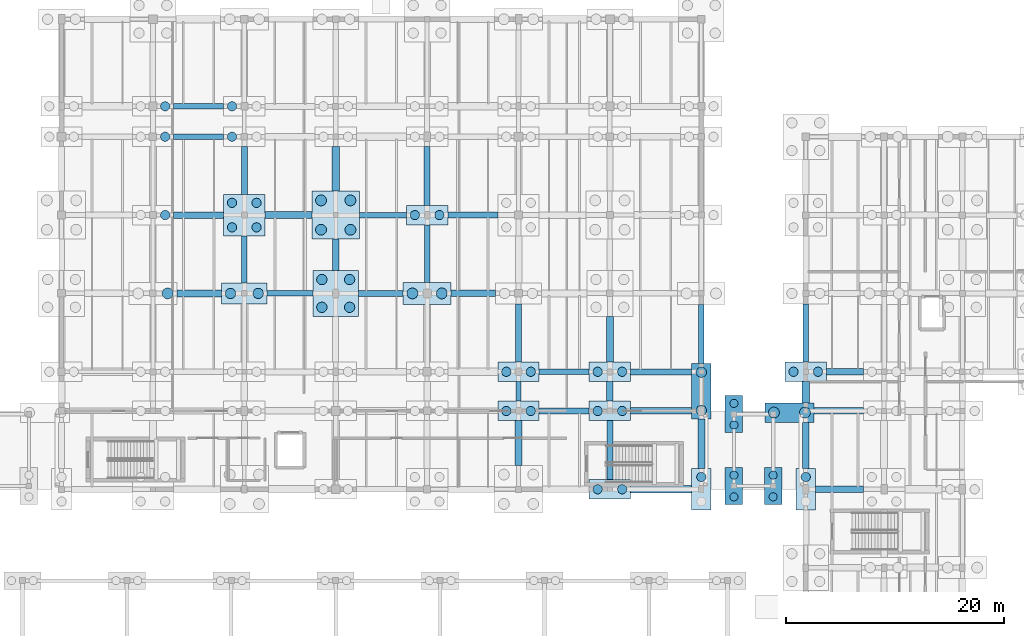
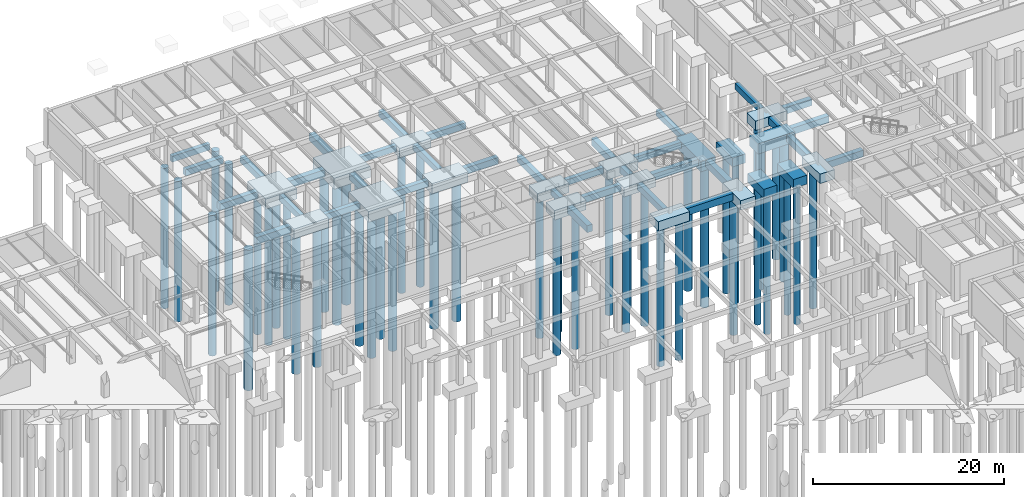
# One storey, part 10 of 63: 54 footings, 48 piles.
"""IFC4 building model written with IfcOpenShell, lengths in metres."""

from ifc_helpers import new_model, si_unit, direction, frame, origin, origin_2d, place, context, subcontext, project, spatial, rectangle, circle, extrude, material, material_profile, profile_set, type_object, element, save


model = new_model("IFC4")

# Units and contexts
model_context = context("Model", 3, precision=1e-05, world=origin(), true_north=direction((0.0, 1.0)))
body_context = subcontext(model_context, "Body", "Model", "MODEL_VIEW")
ifc_project = project(units=[si_unit("LENGTHUNIT", "METRE"), si_unit("AREAUNIT", "SQUARE_METRE"), si_unit("VOLUMEUNIT", "CUBIC_METRE"), si_unit("PLANEANGLEUNIT", "RADIAN"), si_unit("MASSUNIT", "GRAM", prefix="KILO")], contexts=[model_context])

# Site, building, storey
site_placement = place(None, origin())
site = spatial("IfcSite", under=ifc_project, at=site_placement, CompositionType="ELEMENT")
building_placement = place(site_placement, origin())
building = spatial("IfcBuilding", under=site, at=building_placement, Name="Mazaris Harbour Polytechnic", CompositionType="ELEMENT")
storey_placement = place(building_placement, frame((0.0, 0.0, -4.5)))
storey = spatial("IfcBuildingStorey", under=building, at=storey_placement, Name="B1", CompositionType="ELEMENT", Elevation=-4.5)

# Piles
ifc_material_1 = material(Name="Concrete C35/45", Category="concrete")
ifc_material_profile_1 = material_profile(ifc_material_1, circle(Radius=0.5, at=origin_2d()), Name="DIA1000")
ifc_profile_set_1 = profile_set([ifc_material_profile_1], Name="Concrete C35/45")
pile_type_1 = type_object("IfcPileType", Name="Bored Pile 1000", PredefinedType="BORED", material=ifc_profile_set_1)
for number, where, z_axis, x_axis, name in (
    (1, (63.75, 93.60009765625, -1.659912109375), (0.0, 0.0, -1.0), (1.0, 0.0, 0.0), "Bored Pile BP-012-2"),
    (2, (77.85009765625, 99.449951171875, -1.760009765625), (0.0, 0.0, -1.0), (1.0, 0.0, 0.0), "Bored Pile BP-029-1"),
    (3, (80.550048828125, 99.449951171875, -1.760009765625), (0.0, 0.0, -1.0), (1.0, 0.0, 0.0), "Bored Pile BP-029-2"),
    (4, (77.85009765625, 102.14990234375, -1.760009765625), (0.0, 0.0, -1.0), (1.0, 0.0, 0.0), "Bored Pile BP-029-3"),
    (5, (80.550048828125, 102.14990234375, -1.760009765625), (0.0, 0.0, -1.0), (1.0, 0.0, 0.0), "Bored Pile BP-029-4"),
    (6, (86.25, 93.60009765625, -1.659912109375), (0.0, 0.0, -1.0), (1.0, 0.0, 0.0), "Bored Pile BP-036-1"),
    (7, (88.949951171875, 93.60009765625, -1.659912109375), (0.0, 0.0, -1.0), (1.0, 0.0, 0.0), "Bored Pile BP-036-2"),
    (8, (119.469970703125, 82.64990234375, -1.6201171875), (0.0, 0.0, -1.0), (1.0, 0.0, 0.0), "Bored Pile BP-245-1"),
    (9, (122.330078125, 82.64990234375, -1.6201171875), (0.0, 0.0, -1.0), (1.0, 0.0, 0.0), "Bored Pile BP-245-2"),
):
    element("IfcPile", number, at=place(storey_placement, frame(where, z_axis=z_axis, x_axis=x_axis)), inside=storey, type_object=pile_type_1, Name=name, PredefinedType="BORED", context=body_context, shape_type="SweptSolid", body=[
        extrude(circle(Radius=0.5, at=origin_2d()), origin(), (0.0, 0.0, 1.0), 18.0),
    ])
ifc_material_2 = material(Name="Concrete C35/45", Category="concrete")
ifc_material_profile_2 = material_profile(ifc_material_2, circle(Radius=0.375, at=origin_2d()), Name="DIA750")
ifc_profile_set_2 = profile_set([ifc_material_profile_2], Name="Concrete C35/45")
pile_type_2 = type_object("IfcPileType", Name="Bored Pile 750", PredefinedType="BORED", material=ifc_profile_set_2)
for number, where, z_axis, x_axis, name in (
    (10, (115.800048828125, 74.90625, -1.429931640625), (0.0, 0.0, -1.0), (1.0, 0.0, 0.0), "Bored Pile BP-325-1"),
    (11, (115.800048828125, 76.893798828125, -1.429931640625), (0.0, 0.0, -1.0), (1.0, 0.0, 0.0), "Bored Pile BP-325-2"),
    (12, (115.800048828125, 81.506103515625, -1.429931640625), (0.0, 0.0, -1.0), (1.0, 0.0, 0.0), "Bored Pile BP-326-1"),
    (13, (115.800048828125, 83.493896484375, -1.429931640625), (0.0, 0.0, -1.0), (1.0, 0.0, 0.0), "Bored Pile BP-326-2"),
    (14, (119.39990234375, 74.90625, -1.429931640625), (0.0, 0.0, -1.0), (1.0, 0.0, 0.0), "Bored Pile BP-327-1"),
    (15, (119.39990234375, 76.893798828125, -1.429931640625), (0.0, 0.0, -1.0), (1.0, 0.0, 0.0), "Bored Pile BP-327-2"),
):
    element("IfcPile", number, at=place(storey_placement, frame(where, z_axis=z_axis, x_axis=x_axis)), inside=storey, type_object=pile_type_2, Name=name, PredefinedType="BORED", context=body_context, shape_type="SweptSolid", body=[
        extrude(circle(Radius=0.375, at=origin_2d()), origin(), (0.0, 0.0, 1.0), 18.0),
    ])
ifc_material_3 = material(Name="Concrete C35/45", Category="concrete")
ifc_material_profile_3 = material_profile(ifc_material_3, circle(Radius=0.425048828125, at=origin_2d()), Name="DIA850")
ifc_profile_set_3 = profile_set([ifc_material_profile_3], Name="Concrete C35/45")
pile_type_3 = type_object("IfcPileType", Name="Bored Pile 850", PredefinedType="BORED", material=ifc_profile_set_3)
for number, where, z_axis, x_axis, name in (
    (16, (63.526123046875, 100.800048828125, -1.56005859375), (0.0, 0.0, -1.0), (1.0, 0.0, 0.0), "Bored Pile BP-013-2"),
    (17, (63.526123046875, 108.0, -1.56005859375), (0.0, 0.0, -1.0), (1.0, 0.0, 0.0), "Bored Pile BP-014-2"),
    (18, (63.526123046875, 110.800048828125, -1.56005859375), (0.0, 0.0, -1.0), (1.0, 0.0, 0.0), "Bored Pile BP-015-2"),
    (19, (69.673828125, 99.673828125, -1.659912109375), (0.0, 0.0, -1.0), (1.0, 0.0, 0.0), "Bored Pile BP-021-1"),
    (20, (71.92626953125, 99.673828125, -1.659912109375), (0.0, 0.0, -1.0), (1.0, 0.0, 0.0), "Bored Pile BP-021-2"),
    (21, (69.673828125, 101.92626953125, -1.659912109375), (0.0, 0.0, -1.0), (1.0, 0.0, 0.0), "Bored Pile BP-021-3"),
    (22, (71.92626953125, 101.92626953125, -1.659912109375), (0.0, 0.0, -1.0), (1.0, 0.0, 0.0), "Bored Pile BP-021-4"),
    (23, (69.673828125, 108.0, -1.56005859375), (0.0, 0.0, -1.0), (1.0, 0.0, 0.0), "Bored Pile BP-022-1"),
    (24, (69.673828125, 110.800048828125, -1.56005859375), (0.0, 0.0, -1.0), (1.0, 0.0, 0.0), "Bored Pile BP-023-1"),
    (25, (86.473876953125, 100.800048828125, -1.56005859375), (0.0, 0.0, -1.0), (1.0, 0.0, 0.0), "Bored Pile BP-037-1"),
    (26, (88.726318359375, 100.800048828125, -1.56005859375), (0.0, 0.0, -1.0), (1.0, 0.0, 0.0), "Bored Pile BP-037-2"),
    (27, (94.873779296875, 82.800048828125, -1.56005859375), (0.0, 0.0, -1.0), (1.0, 0.0, 0.0), "Bored Pile BP-042-1"),
    (28, (97.126220703125, 82.800048828125, -1.56005859375), (0.0, 0.0, -1.0), (1.0, 0.0, 0.0), "Bored Pile BP-042-2"),
    (29, (94.873779296875, 86.39990234375, -1.56005859375), (0.0, 0.0, -1.0), (1.0, 0.0, 0.0), "Bored Pile BP-043-1"),
    (30, (97.126220703125, 86.39990234375, -1.56005859375), (0.0, 0.0, -1.0), (1.0, 0.0, 0.0), "Bored Pile BP-043-2"),
    (31, (103.273681640625, 75.60009765625, -1.56005859375), (0.0, 0.0, -1.0), (1.0, 0.0, 0.0), "Bored Pile BP-049-1"),
    (32, (105.526123046875, 75.60009765625, -1.56005859375), (0.0, 0.0, -1.0), (1.0, 0.0, 0.0), "Bored Pile BP-049-2"),
    (33, (103.273681640625, 82.800048828125, -1.56005859375), (0.0, 0.0, -1.0), (1.0, 0.0, 0.0), "Bored Pile BP-050-1"),
    (34, (105.526123046875, 82.800048828125, -1.56005859375), (0.0, 0.0, -1.0), (1.0, 0.0, 0.0), "Bored Pile BP-050-2"),
    (35, (103.273681640625, 86.39990234375, -1.56005859375), (0.0, 0.0, -1.0), (1.0, 0.0, 0.0), "Bored Pile BP-051-1"),
    (36, (105.526123046875, 86.39990234375, -1.56005859375), (0.0, 0.0, -1.0), (1.0, 0.0, 0.0), "Bored Pile BP-051-2"),
    (37, (112.800048828125, 76.726318359375, -1.56005859375), (0.0, 0.0, -1.0), (1.0, 0.0, 0.0), "Bored Pile BP-057-2"),
    (38, (122.39990234375, 76.726318359375, -1.52001953125), (0.0, 0.0, -1.0), (1.0, 0.0, 0.0), "Bored Pile BP-244-2"),
    (39, (121.273681640625, 86.39990234375, -1.52001953125), (0.0, 0.0, -1.0), (1.0, 0.0, 0.0), "Bored Pile BP-246-1"),
    (40, (123.526123046875, 86.39990234375, -1.52001953125), (0.0, 0.0, -1.0), (1.0, 0.0, 0.0), "Bored Pile BP-246-2"),
):
    element("IfcPile", number, at=place(storey_placement, frame(where, z_axis=z_axis, x_axis=x_axis)), inside=storey, type_object=pile_type_3, Name=name, PredefinedType="BORED", context=body_context, shape_type="SweptSolid", body=[
        extrude(circle(Radius=0.425048828125, at=origin_2d()), origin(), (0.0, 0.0, 1.0), 18.0),
    ])
ifc_material_4 = material(Name="Concrete C35/45", Category="concrete")
ifc_material_profile_4 = material_profile(ifc_material_4, circle(Radius=0.47509765625, at=origin_2d()), Name="DIA950")
ifc_profile_set_4 = profile_set([ifc_material_profile_4], Name="Concrete C35/45")
pile_type_4 = type_object("IfcPileType", Name="Bored Pile 950", PredefinedType="BORED", material=ifc_profile_set_4)
for number, where, z_axis, x_axis, name in (
    (41, (69.52490234375, 93.60009765625, -1.610107421875), (0.0, 0.0, -1.0), (1.0, 0.0, 0.0), "Bored Pile BP-020-1"),
    (42, (72.074951171875, 93.60009765625, -1.610107421875), (0.0, 0.0, -1.0), (1.0, 0.0, 0.0), "Bored Pile BP-020-2"),
    (43, (77.925048828125, 92.324951171875, -1.7099609375), (0.0, 0.0, -1.0), (1.0, 0.0, 0.0), "Bored Pile BP-028-1"),
    (44, (80.47509765625, 92.324951171875, -1.7099609375), (0.0, 0.0, -1.0), (1.0, 0.0, 0.0), "Bored Pile BP-028-2"),
    (45, (77.925048828125, 94.875, -1.7099609375), (0.0, 0.0, -1.0), (1.0, 0.0, 0.0), "Bored Pile BP-028-3"),
    (46, (80.47509765625, 94.875, -1.7099609375), (0.0, 0.0, -1.0), (1.0, 0.0, 0.0), "Bored Pile BP-028-4"),
    (47, (112.800048828125, 82.844970703125, -1.7099609375), (0.0, 0.0, -1.0), (1.0, 0.0, 0.0), "Bored Pile BP-058-1"),
    (48, (112.800048828125, 86.35498046875, -1.7099609375), (0.0, 0.0, -1.0), (1.0, 0.0, 0.0), "Bored Pile BP-058-2"),
):
    element("IfcPile", number, at=place(storey_placement, frame(where, z_axis=z_axis, x_axis=x_axis)), inside=storey, type_object=pile_type_4, Name=name, PredefinedType="BORED", context=body_context, shape_type="SweptSolid", body=[
        extrude(circle(Radius=0.47509765625, at=origin_2d()), origin(), (0.0, 0.0, 1.0), 18.0),
    ])

# Footings
ifc_material_5 = material(Name="Concrete C35/45", Category="concrete")
footing_type_1 = type_object("IfcFootingType", Name="Pile Cap 1600x3400x1150", PredefinedType="PILE_CAP", material=ifc_material_5)
for number, where, z_axis, x_axis, name in (
    (49, (115.800048828125, 75.89990234375, -1.530029296875), (0.0, 0.0, 1.0), (1.0, 0.0, 0.0), "Pile Cap CAP-325"),
    (50, (115.800048828125, 82.5, -1.530029296875), (0.0, 0.0, 1.0), (1.0, 0.0, 0.0), "Pile Cap CAP-326"),
    (51, (119.39990234375, 75.89990234375, -1.530029296875), (0.0, 0.0, 1.0), (1.0, 0.0, 0.0), "Pile Cap CAP-327"),
):
    element("IfcFooting", number, at=place(storey_placement, frame(where, z_axis=z_axis, x_axis=x_axis)), inside=storey, type_object=footing_type_1, Name=name, PredefinedType="PILE_CAP", context=body_context, shape_type="SweptSolid", body=[
        extrude(rectangle(XDim=1.60009765625, YDim=3.39990234375, at=origin_2d()), origin(), (0.0, 0.0, 1.0), 1.14990234375),
    ])
ifc_material_6 = material(Name="Concrete C35/45", Category="concrete")
footing_type_2 = type_object("IfcFootingType", Name="Pile Cap 1800x3800x1200", PredefinedType="PILE_CAP", material=ifc_material_6)
for number, where, z_axis, x_axis, name in (
    (52, (112.800048828125, 75.60009765625, -1.66015625), (0.0, 0.0, 1.0), (1.0, 0.0, 0.0), "Pile Cap CAP-057"),
    (53, (122.39990234375, 75.60009765625, -1.6201171875), (0.0, 0.0, 1.0), (1.0, 0.0, 0.0), "Pile Cap CAP-244"),
):
    element("IfcFooting", number, at=place(storey_placement, frame(where, z_axis=z_axis, x_axis=x_axis)), inside=storey, type_object=footing_type_2, Name=name, PredefinedType="PILE_CAP", context=body_context, shape_type="SweptSolid", body=[
        extrude(rectangle(XDim=1.800048828125, YDim=3.800048828125, at=origin_2d()), origin(), (0.0, 0.0, 1.0), 1.199951171875),
    ])
ifc_material_7 = material(Name="Concrete C35/45", Category="concrete")
footing_type_3 = type_object("IfcFootingType", Name="Pile Cap 1800x5100x1350", PredefinedType="PILE_CAP", material=ifc_material_7)
footing_1_placement = place(storey_placement, frame((112.800048828125, 84.60009765625, -1.81005859375), z_axis=(0.0, 0.0, 1.0), x_axis=(1.0, 0.0, 0.0)))
element("IfcFooting", 54, at=footing_1_placement, inside=storey, type_object=footing_type_3, Name="Pile Cap CAP-058", PredefinedType="PILE_CAP", context=body_context, shape_type="SweptSolid", body=[
    extrude(rectangle(XDim=1.800048828125, YDim=5.10009765625, at=origin_2d()), origin(), (0.0, 0.0, 1.0), 1.35009765625),
])
ifc_material_8 = material(Name="Concrete C35/45", Category="concrete")
footing_type_4 = type_object("IfcFootingType", Name="Pile Cap 3800x1800x1200", PredefinedType="PILE_CAP", material=ifc_material_8)
for number, where, z_axis, x_axis, name in (
    (55, (87.60009765625, 100.800048828125, -1.66015625), (0.0, 0.0, 1.0), (1.0, 0.0, 0.0), "Pile Cap CAP-037"),
    (56, (96.0, 82.800048828125, -1.66015625), (0.0, 0.0, 1.0), (1.0, 0.0, 0.0), "Pile Cap CAP-042"),
    (57, (96.0, 86.39990234375, -1.66015625), (0.0, 0.0, 1.0), (1.0, 0.0, 0.0), "Pile Cap CAP-043"),
    (58, (104.39990234375, 75.60009765625, -1.66015625), (0.0, 0.0, 1.0), (1.0, 0.0, 0.0), "Pile Cap CAP-049"),
    (59, (104.39990234375, 82.800048828125, -1.66015625), (0.0, 0.0, 1.0), (1.0, 0.0, 0.0), "Pile Cap CAP-050"),
    (60, (104.39990234375, 86.39990234375, -1.66015625), (0.0, 0.0, 1.0), (1.0, 0.0, 0.0), "Pile Cap CAP-051"),
    (61, (122.39990234375, 86.39990234375, -1.6201171875), (0.0, 0.0, 1.0), (1.0, 0.0, 0.0), "Pile Cap CAP-246"),
):
    element("IfcFooting", number, at=place(storey_placement, frame(where, z_axis=z_axis, x_axis=x_axis)), inside=storey, type_object=footing_type_4, Name=name, PredefinedType="PILE_CAP", context=body_context, shape_type="SweptSolid", body=[
        extrude(rectangle(XDim=3.800048828125, YDim=1.800048828125, at=origin_2d()), origin(), (0.0, 0.0, 1.0), 1.199951171875),
    ])
ifc_material_9 = material(Name="Concrete C35/45", Category="concrete")
footing_type_5 = type_object("IfcFootingType", Name="Pile Cap 3800x3800x1300", PredefinedType="PILE_CAP", material=ifc_material_9)
footing_2_placement = place(storey_placement, frame((70.800048828125, 100.800048828125, -1.76025390625), z_axis=(0.0, 0.0, 1.0), x_axis=(1.0, 0.0, 0.0)))
element("IfcFooting", 62, at=footing_2_placement, inside=storey, type_object=footing_type_5, Name="Pile Cap CAP-021", PredefinedType="PILE_CAP", context=body_context, shape_type="SweptSolid", body=[
    extrude(rectangle(XDim=3.800048828125, YDim=3.800048828125, at=origin_2d()), origin(), (0.0, 0.0, 1.0), 1.300048828125),
])
ifc_material_10 = material(Name="Concrete C35/45", Category="concrete")
footing_type_6 = type_object("IfcFootingType", Name="Pile Cap 4200x1900x1250", PredefinedType="PILE_CAP", material=ifc_material_10)
footing_3_placement = place(storey_placement, frame((70.800048828125, 93.60009765625, -1.7099609375), z_axis=(0.0, 0.0, 1.0), x_axis=(1.0, 0.0, 0.0)))
element("IfcFooting", 63, at=footing_3_placement, inside=storey, type_object=footing_type_6, Name="Pile Cap CAP-020", PredefinedType="PILE_CAP", context=body_context, shape_type="SweptSolid", body=[
    extrude(rectangle(XDim=4.199951171875, YDim=1.89990234375, at=origin_2d()), origin(), (0.0, 0.0, 1.0), 1.25),
])
ifc_material_11 = material(Name="Concrete C35/45", Category="concrete")
footing_type_7 = type_object("IfcFootingType", Name="Pile Cap 4200x4200x1350", PredefinedType="PILE_CAP", material=ifc_material_11)
footing_4_placement = place(storey_placement, frame((79.199951171875, 93.60009765625, -1.81005859375), z_axis=(0.0, 0.0, 1.0), x_axis=(1.0, 0.0, 0.0)))
element("IfcFooting", 64, at=footing_4_placement, inside=storey, type_object=footing_type_7, Name="Pile Cap CAP-028", PredefinedType="PILE_CAP", context=body_context, shape_type="SweptSolid", body=[
    extrude(rectangle(XDim=4.199951171875, YDim=4.199951171875, at=origin_2d()), origin(), (0.0, 0.0, 1.0), 1.35009765625),
])
ifc_material_12 = material(Name="Concrete C35/45", Category="concrete")
footing_type_8 = type_object("IfcFootingType", Name="Pile Cap 4400x2000x1300", PredefinedType="PILE_CAP", material=ifc_material_12)
footing_5_placement = place(storey_placement, frame((87.60009765625, 93.60009765625, -1.76025390625), z_axis=(0.0, 0.0, 1.0), x_axis=(1.0, 0.0, 0.0)))
element("IfcFooting", 65, at=footing_5_placement, inside=storey, type_object=footing_type_8, Name="Pile Cap CAP-036", PredefinedType="PILE_CAP", context=body_context, shape_type="SweptSolid", body=[
    extrude(rectangle(XDim=4.39990234375, YDim=2.0, at=origin_2d()), origin(), (0.0, 0.0, 1.0), 1.300048828125),
])
ifc_material_13 = material(Name="Concrete C35/45", Category="concrete")
footing_type_9 = type_object("IfcFootingType", Name="Pile Cap 4400x4400x1400", PredefinedType="PILE_CAP", material=ifc_material_13)
footing_6_placement = place(storey_placement, frame((79.199951171875, 100.800048828125, -1.85986328125), z_axis=(0.0, 0.0, 1.0), x_axis=(1.0, 0.0, 0.0)))
element("IfcFooting", 66, at=footing_6_placement, inside=storey, type_object=footing_type_9, Name="Pile Cap CAP-029", PredefinedType="PILE_CAP", context=body_context, shape_type="SweptSolid", body=[
    extrude(rectangle(XDim=4.39990234375, YDim=4.39990234375, at=origin_2d()), origin(), (0.0, 0.0, 1.0), 1.39990234375),
])
ifc_material_14 = material(Name="Concrete C35/45", Category="concrete")
footing_type_10 = type_object("IfcFootingType", Name="Pile Cap 4500x1800x1300", PredefinedType="PILE_CAP", material=ifc_material_14)
footing_7_placement = place(storey_placement, frame((120.89990234375, 82.64990234375, -1.72021484375), z_axis=(0.0, 0.0, 1.0), x_axis=(1.0, 0.0, 0.0)))
element("IfcFooting", 67, at=footing_7_placement, inside=storey, type_object=footing_type_10, Name="Pile Cap CAP-245", PredefinedType="PILE_CAP", context=body_context, shape_type="SweptSolid", body=[
    extrude(rectangle(XDim=4.5, YDim=1.800048828125, at=origin_2d()), origin(), (0.0, 0.0, 1.0), 1.300048828125),
])
ifc_material_15 = material(Name="Concrete C35/45", Category="concrete")
ifc_material_profile_5 = material_profile(ifc_material_15, rectangle(XDim=0.5, YDim=0.75, at=origin_2d()), Name="RECT500x750")
ifc_profile_set_5 = profile_set([ifc_material_profile_5], Name="Concrete C35/45")
footing_type_11 = type_object("IfcFootingType", Name="Seismic Tie Beam 500x750", PredefinedType="FOOTING_BEAM", material=ifc_profile_set_5)
footing_8_placement = place(storey_placement, frame((97.89990234375, 86.39990234375, -0.8349609375), z_axis=(1.0, 0.0, 0.0), x_axis=(0.0, 1.0, 0.0)))
element("IfcFooting", 68, at=footing_8_placement, inside=storey, type_object=footing_type_11, Name="Seismic Tie Beam FTB-020", PredefinedType="FOOTING_BEAM", context=body_context, shape_type="SweptSolid", body=[
    extrude(rectangle(XDim=0.5, YDim=0.75, at=origin_2d()), origin(), (0.0, 0.0, 1.0), 4.60009765625),
])
footing_9_placement = place(storey_placement, frame((72.89990234375, 93.60009765625, -0.8349609375), z_axis=(1.0, 0.0, 0.0), x_axis=(0.0, 1.0, 0.0)))
element("IfcFooting", 69, at=footing_9_placement, inside=storey, type_object=footing_type_11, Name="Seismic Tie Beam FTB-024", PredefinedType="FOOTING_BEAM", context=body_context, shape_type="SweptSolid", body=[
    extrude(rectangle(XDim=0.5, YDim=0.75, at=origin_2d()), origin(), (0.0, 0.0, 1.0), 4.2001953125),
])
footing_10_placement = place(storey_placement, frame((81.39990234375, 100.800048828125, -0.8349609375), z_axis=(1.0, 0.0, 0.0), x_axis=(0.0, 1.0, 0.0)))
element("IfcFooting", 70, at=footing_10_placement, inside=storey, type_object=footing_type_11, Name="Seismic Tie Beam FTB-032", PredefinedType="FOOTING_BEAM", context=body_context, shape_type="SweptSolid", body=[
    extrude(rectangle(XDim=0.5, YDim=0.75, at=origin_2d()), origin(), (0.0, 0.0, 1.0), 4.300048828125),
])
footing_11_placement = place(storey_placement, frame((64.300048828125, 110.800048828125, -0.8349609375), z_axis=(1.0, 0.0, 0.0), x_axis=(0.0, 1.0, 0.0)))
element("IfcFooting", 71, at=footing_11_placement, inside=storey, type_object=footing_type_11, Name="Seismic Tie Beam FTB-044", PredefinedType="FOOTING_BEAM", context=body_context, shape_type="SweptSolid", body=[
    extrude(rectangle(XDim=0.5, YDim=0.75, at=origin_2d()), origin(), (0.0, 0.0, 1.0), 4.599853515625),
])
footing_12_placement = place(storey_placement, frame((70.800048828125, 94.550048828125, -0.8349609375), z_axis=(0.0, 1.0, 0.0), x_axis=(-1.0, 0.0, 0.0)))
element("IfcFooting", 72, at=footing_12_placement, inside=storey, type_object=footing_type_11, Name="Seismic Tie Beam FTB-072", PredefinedType="FOOTING_BEAM", context=body_context, shape_type="SweptSolid", body=[
    extrude(rectangle(XDim=0.5, YDim=0.75, at=origin_2d()), origin(), (0.0, 0.0, 1.0), 4.349853515625),
])
footing_13_placement = place(storey_placement, frame((87.60009765625, 94.60009765625, -0.8349609375), z_axis=(0.0, 1.0, 0.0), x_axis=(-1.0, 0.0, 0.0)))
element("IfcFooting", 73, at=footing_13_placement, inside=storey, type_object=footing_type_11, Name="Seismic Tie Beam FTB-084", PredefinedType="FOOTING_BEAM", context=body_context, shape_type="SweptSolid", body=[
    extrude(rectangle(XDim=0.5, YDim=0.75, at=origin_2d()), origin(), (0.0, 0.0, 1.0), 5.2998046875),
])
footing_14_placement = place(storey_placement, frame((96.0, 83.699951171875, -0.8349609375), z_axis=(0.0, 1.0, 0.0), x_axis=(-1.0, 0.0, 0.0)))
element("IfcFooting", 74, at=footing_14_placement, inside=storey, type_object=footing_type_11, Name="Seismic Tie Beam FTB-088", PredefinedType="FOOTING_BEAM", context=body_context, shape_type="SweptSolid", body=[
    extrude(rectangle(XDim=0.5, YDim=0.75, at=origin_2d()), origin(), (0.0, 0.0, 1.0), 1.800048828125),
])
footing_15_placement = place(storey_placement, frame((112.800048828125, 87.14990234375, -0.8349609375), z_axis=(0.0, 1.0, 0.0), x_axis=(-1.0, 0.0, 0.0)))
element("IfcFooting", 75, at=footing_15_placement, inside=storey, type_object=footing_type_11, Name="Seismic Tie Beam FTB-100", PredefinedType="FOOTING_BEAM", context=body_context, shape_type="SweptSolid", body=[
    extrude(rectangle(XDim=0.5, YDim=0.75, at=origin_2d()), origin(), (0.0, 0.0, 1.0), 5.4501953125),
])
footing_16_placement = place(storey_placement, frame((122.39990234375, 87.300048828125, -0.8349609375), z_axis=(0.0, 1.0, 0.0), x_axis=(-1.0, 0.0, 0.0)))
element("IfcFooting", 76, at=footing_16_placement, inside=storey, type_object=footing_type_11, Name="Seismic Tie Beam FTB-472", PredefinedType="FOOTING_BEAM", context=body_context, shape_type="SweptSolid", body=[
    extrude(rectangle(XDim=0.5, YDim=0.75, at=origin_2d()), origin(), (0.0, 0.0, 1.0), 5.349853515625),
])
ifc_material_16 = material(Name="Concrete C35/45", Category="concrete")
ifc_material_profile_6 = material_profile(ifc_material_16, rectangle(XDim=0.550048828125, YDim=0.800048828125, at=origin_2d()), Name="RECT550x800")
ifc_profile_set_6 = profile_set([ifc_material_profile_6], Name="Concrete C35/45")
footing_type_12 = type_object("IfcFootingType", Name="Seismic Tie Beam 550x800", PredefinedType="FOOTING_BEAM", material=ifc_profile_set_6)
footing_17_placement = place(storey_placement, frame((97.89990234375, 82.800048828125, -0.860107421875), z_axis=(1.0, 0.0, 0.0), x_axis=(0.0, 1.0, 0.0)))
element("IfcFooting", 77, at=footing_17_placement, inside=storey, type_object=footing_type_12, Name="Seismic Tie Beam FTB-013", PredefinedType="FOOTING_BEAM", context=body_context, shape_type="SweptSolid", body=[
    extrude(rectangle(XDim=0.550048828125, YDim=0.800048828125, at=origin_2d()), origin(), (0.0, 0.0, 1.0), 4.60009765625),
])
footing_18_placement = place(storey_placement, frame((106.300048828125, 86.39990234375, -0.860107421875), z_axis=(1.0, 0.0, 0.0), x_axis=(0.0, 1.0, 0.0)))
element("IfcFooting", 78, at=footing_18_placement, inside=storey, type_object=footing_type_12, Name="Seismic Tie Beam FTB-021", PredefinedType="FOOTING_BEAM", context=body_context, shape_type="SweptSolid", body=[
    extrude(rectangle(XDim=0.550048828125, YDim=0.800048828125, at=origin_2d()), origin(), (0.0, 0.0, 1.0), 5.599853515625),
])
footing_19_placement = place(storey_placement, frame((81.300048828125, 93.60009765625, -0.860107421875), z_axis=(1.0, 0.0, 0.0), x_axis=(0.0, 1.0, 0.0)))
element("IfcFooting", 79, at=footing_19_placement, inside=storey, type_object=footing_type_12, Name="Seismic Tie Beam FTB-025", PredefinedType="FOOTING_BEAM", context=body_context, shape_type="SweptSolid", body=[
    extrude(rectangle(XDim=0.550048828125, YDim=0.800048828125, at=origin_2d()), origin(), (0.0, 0.0, 1.0), 4.099853515625),
])
footing_20_placement = place(storey_placement, frame((89.5, 100.800048828125, -0.860107421875), z_axis=(1.0, 0.0, 0.0), x_axis=(0.0, 1.0, 0.0)))
element("IfcFooting", 80, at=footing_20_placement, inside=storey, type_object=footing_type_12, Name="Seismic Tie Beam FTB-033", PredefinedType="FOOTING_BEAM", context=body_context, shape_type="SweptSolid", body=[
    extrude(rectangle(XDim=0.550048828125, YDim=0.800048828125, at=origin_2d()), origin(), (0.0, 0.0, 1.0), 4.60009765625),
])
footing_21_placement = place(storey_placement, frame((64.300048828125, 108.0, -0.860107421875), z_axis=(1.0, 0.0, 0.0), x_axis=(0.0, 1.0, 0.0)))
element("IfcFooting", 81, at=footing_21_placement, inside=storey, type_object=footing_type_12, Name="Seismic Tie Beam FTB-037", PredefinedType="FOOTING_BEAM", context=body_context, shape_type="SweptSolid", body=[
    extrude(rectangle(XDim=0.550048828125, YDim=0.800048828125, at=origin_2d()), origin(), (0.0, 0.0, 1.0), 4.599853515625),
])
footing_22_placement = place(storey_placement, frame((70.800048828125, 102.699951171875, -0.860107421875), z_axis=(0.0, 1.0, 0.0), x_axis=(-1.0, 0.0, 0.0)))
element("IfcFooting", 82, at=footing_22_placement, inside=storey, type_object=footing_type_12, Name="Seismic Tie Beam FTB-073", PredefinedType="FOOTING_BEAM", context=body_context, shape_type="SweptSolid", body=[
    extrude(rectangle(XDim=0.550048828125, YDim=0.800048828125, at=origin_2d()), origin(), (0.0, 0.0, 1.0), 4.400146484375),
])
footing_23_placement = place(storey_placement, frame((87.60009765625, 101.699951171875, -0.860107421875), z_axis=(0.0, 1.0, 0.0), x_axis=(-1.0, 0.0, 0.0)))
element("IfcFooting", 83, at=footing_23_placement, inside=storey, type_object=footing_type_12, Name="Seismic Tie Beam FTB-085", PredefinedType="FOOTING_BEAM", context=body_context, shape_type="SweptSolid", body=[
    extrude(rectangle(XDim=0.550048828125, YDim=0.800048828125, at=origin_2d()), origin(), (0.0, 0.0, 1.0), 5.400146484375),
])
footing_24_placement = place(storey_placement, frame((96.0, 87.300048828125, -0.860107421875), z_axis=(0.0, 1.0, 0.0), x_axis=(-1.0, 0.0, 0.0)))
element("IfcFooting", 84, at=footing_24_placement, inside=storey, type_object=footing_type_12, Name="Seismic Tie Beam FTB-089", PredefinedType="FOOTING_BEAM", context=body_context, shape_type="SweptSolid", body=[
    extrude(rectangle(XDim=0.550048828125, YDim=0.800048828125, at=origin_2d()), origin(), (0.0, 0.0, 1.0), 5.349853515625),
])
footing_25_placement = place(storey_placement, frame((104.39990234375, 76.5, -0.860107421875), z_axis=(0.0, 1.0, 0.0), x_axis=(-1.0, 0.0, 0.0)))
element("IfcFooting", 85, at=footing_25_placement, inside=storey, type_object=footing_type_12, Name="Seismic Tie Beam FTB-093", PredefinedType="FOOTING_BEAM", context=body_context, shape_type="SweptSolid", body=[
    extrude(rectangle(XDim=0.550048828125, YDim=0.800048828125, at=origin_2d()), origin(), (0.0, 0.0, 1.0), 5.39990234375),
])
ifc_material_17 = material(Name="Concrete C35/45", Category="concrete")
ifc_material_profile_7 = material_profile(ifc_material_17, rectangle(XDim=0.60009765625, YDim=0.85009765625, at=origin_2d()), Name="RECT600x850")
ifc_profile_set_7 = profile_set([ifc_material_profile_7], Name="Concrete C35/45")
footing_type_13 = type_object("IfcFootingType", Name="Seismic Tie Beam 600x850", PredefinedType="FOOTING_BEAM", material=ifc_profile_set_7)
footing_26_placement = place(storey_placement, frame((106.300048828125, 82.800048828125, -0.885009765625), z_axis=(1.0, 0.0, 0.0), x_axis=(0.0, 1.0, 0.0)))
element("IfcFooting", 86, at=footing_26_placement, inside=storey, type_object=footing_type_13, Name="Seismic Tie Beam FTB-014", PredefinedType="FOOTING_BEAM", context=body_context, shape_type="SweptSolid", body=[
    extrude(rectangle(XDim=0.60009765625, YDim=0.85009765625, at=origin_2d()), origin(), (0.0, 0.0, 1.0), 5.599853515625),
])
footing_27_placement = place(storey_placement, frame((89.800048828125, 93.60009765625, -0.885009765625), z_axis=(1.0, 0.0, 0.0), x_axis=(0.0, 1.0, 0.0)))
element("IfcFooting", 87, at=footing_27_placement, inside=storey, type_object=footing_type_13, Name="Seismic Tie Beam FTB-026", PredefinedType="FOOTING_BEAM", context=body_context, shape_type="SweptSolid", body=[
    extrude(rectangle(XDim=0.60009765625, YDim=0.85009765625, at=origin_2d()), origin(), (0.0, 0.0, 1.0), 4.099853515625),
])
footing_28_placement = place(storey_placement, frame((64.300048828125, 100.800048828125, -0.885009765625), z_axis=(1.0, 0.0, 0.0), x_axis=(0.0, 1.0, 0.0)))
element("IfcFooting", 88, at=footing_28_placement, inside=storey, type_object=footing_type_13, Name="Seismic Tie Beam FTB-030", PredefinedType="FOOTING_BEAM", context=body_context, shape_type="SweptSolid", body=[
    extrude(rectangle(XDim=0.60009765625, YDim=0.85009765625, at=origin_2d()), origin(), (0.0, 0.0, 1.0), 4.599853515625),
])
footing_29_placement = place(storey_placement, frame((79.199951171875, 95.699951171875, -0.885009765625), z_axis=(0.0, 1.0, 0.0), x_axis=(-1.0, 0.0, 0.0)))
element("IfcFooting", 89, at=footing_29_placement, inside=storey, type_object=footing_type_13, Name="Seismic Tie Beam FTB-078", PredefinedType="FOOTING_BEAM", context=body_context, shape_type="SweptSolid", body=[
    extrude(rectangle(XDim=0.60009765625, YDim=0.85009765625, at=origin_2d()), origin(), (0.0, 0.0, 1.0), 2.900146484375),
])
footing_30_placement = place(storey_placement, frame((104.39990234375, 83.699951171875, -0.885009765625), z_axis=(0.0, 1.0, 0.0), x_axis=(-1.0, 0.0, 0.0)))
element("IfcFooting", 90, at=footing_30_placement, inside=storey, type_object=footing_type_13, Name="Seismic Tie Beam FTB-094", PredefinedType="FOOTING_BEAM", context=body_context, shape_type="SweptSolid", body=[
    extrude(rectangle(XDim=0.60009765625, YDim=0.85009765625, at=origin_2d()), origin(), (0.0, 0.0, 1.0), 1.800048828125),
])
footing_31_placement = place(storey_placement, frame((123.300048828125, 75.60009765625, -0.885009765625), z_axis=(1.0, 0.0, 0.0), x_axis=(0.0, 1.0, 0.0)))
element("IfcFooting", 91, at=footing_31_placement, inside=storey, type_object=footing_type_13, Name="Seismic Tie Beam FTB-430", PredefinedType="FOOTING_BEAM", context=body_context, shape_type="SweptSolid", body=[
    extrude(rectangle(XDim=0.60009765625, YDim=0.85009765625, at=origin_2d()), origin(), (0.0, 0.0, 1.0), 4.39990234375),
])
footing_32_placement = place(storey_placement, frame((123.14990234375, 82.800048828125, -0.885009765625), z_axis=(1.0, 0.0, 0.0), x_axis=(0.0, 1.0, 0.0)))
element("IfcFooting", 92, at=footing_32_placement, inside=storey, type_object=footing_type_13, Name="Seismic Tie Beam FTB-434", PredefinedType="FOOTING_BEAM", context=body_context, shape_type="SweptSolid", body=[
    extrude(rectangle(XDim=0.60009765625, YDim=0.85009765625, at=origin_2d()), origin(), (0.0, 0.0, 1.0), 4.550048828125),
])
footing_33_placement = place(storey_placement, frame((124.300048828125, 86.39990234375, -0.885009765625), z_axis=(1.0, 0.0, 0.0), x_axis=(0.0, 1.0, 0.0)))
element("IfcFooting", 93, at=footing_33_placement, inside=storey, type_object=footing_type_13, Name="Seismic Tie Beam FTB-438", PredefinedType="FOOTING_BEAM", context=body_context, shape_type="SweptSolid", body=[
    extrude(rectangle(XDim=0.60009765625, YDim=0.85009765625, at=origin_2d()), origin(), (0.0, 0.0, 1.0), 3.39990234375),
])
footing_34_placement = place(storey_placement, frame((122.39990234375, 77.5, -0.885009765625), z_axis=(0.0, 1.0, 0.0), x_axis=(-1.0, 0.0, 0.0)))
element("IfcFooting", 94, at=footing_34_placement, inside=storey, type_object=footing_type_13, Name="Seismic Tie Beam FTB-470", PredefinedType="FOOTING_BEAM", context=body_context, shape_type="SweptSolid", body=[
    extrude(rectangle(XDim=0.60009765625, YDim=0.85009765625, at=origin_2d()), origin(), (0.0, 0.0, 1.0), 4.25),
])
ifc_material_18 = material(Name="Concrete C35/45", Category="concrete")
ifc_material_profile_8 = material_profile(ifc_material_18, rectangle(XDim=0.64990234375, YDim=0.89990234375, at=origin_2d()), Name="RECT650x900")
ifc_profile_set_8 = profile_set([ifc_material_profile_8], Name="Concrete C35/45")
footing_type_14 = type_object("IfcFootingType", Name="Seismic Tie Beam 650x900", PredefinedType="FOOTING_BEAM", material=ifc_profile_set_8)
footing_35_placement = place(storey_placement, frame((106.300048828125, 75.60009765625, -0.909912109375), z_axis=(1.0, 0.0, 0.0), x_axis=(0.0, 1.0, 0.0)))
element("IfcFooting", 95, at=footing_35_placement, inside=storey, type_object=footing_type_14, Name="Seismic Tie Beam FTB-007", PredefinedType="FOOTING_BEAM", context=body_context, shape_type="SweptSolid", body=[
    extrude(rectangle(XDim=0.64990234375, YDim=0.89990234375, at=origin_2d()), origin(), (0.0, 0.0, 1.0), 5.599853515625),
])
footing_36_placement = place(storey_placement, frame((64.60009765625, 93.60009765625, -0.909912109375), z_axis=(1.0, 0.0, 0.0), x_axis=(0.0, 1.0, 0.0)))
element("IfcFooting", 96, at=footing_36_placement, inside=storey, type_object=footing_type_14, Name="Seismic Tie Beam FTB-023", PredefinedType="FOOTING_BEAM", context=body_context, shape_type="SweptSolid", body=[
    extrude(rectangle(XDim=0.64990234375, YDim=0.89990234375, at=origin_2d()), origin(), (0.0, 0.0, 1.0), 4.099853515625),
])
footing_37_placement = place(storey_placement, frame((72.699951171875, 100.800048828125, -0.909912109375), z_axis=(1.0, 0.0, 0.0), x_axis=(0.0, 1.0, 0.0)))
element("IfcFooting", 97, at=footing_37_placement, inside=storey, type_object=footing_type_14, Name="Seismic Tie Beam FTB-031", PredefinedType="FOOTING_BEAM", context=body_context, shape_type="SweptSolid", body=[
    extrude(rectangle(XDim=0.64990234375, YDim=0.89990234375, at=origin_2d()), origin(), (0.0, 0.0, 1.0), 4.300048828125),
])
footing_38_placement = place(storey_placement, frame((79.199951171875, 103.0, -0.909912109375), z_axis=(0.0, 1.0, 0.0), x_axis=(-1.0, 0.0, 0.0)))
element("IfcFooting", 98, at=footing_38_placement, inside=storey, type_object=footing_type_14, Name="Seismic Tie Beam FTB-079", PredefinedType="FOOTING_BEAM", context=body_context, shape_type="SweptSolid", body=[
    extrude(rectangle(XDim=0.64990234375, YDim=0.89990234375, at=origin_2d()), origin(), (0.0, 0.0, 1.0), 4.10009765625),
])
footing_39_placement = place(storey_placement, frame((96.0, 77.800048828125, -0.909912109375), z_axis=(0.0, 1.0, 0.0), x_axis=(-1.0, 0.0, 0.0)))
element("IfcFooting", 99, at=footing_39_placement, inside=storey, type_object=footing_type_14, Name="Seismic Tie Beam FTB-087", PredefinedType="FOOTING_BEAM", context=body_context, shape_type="SweptSolid", body=[
    extrude(rectangle(XDim=0.64990234375, YDim=0.89990234375, at=origin_2d()), origin(), (0.0, 0.0, 1.0), 4.099853515625),
])
footing_40_placement = place(storey_placement, frame((104.39990234375, 87.300048828125, -0.909912109375), z_axis=(0.0, 1.0, 0.0), x_axis=(-1.0, 0.0, 0.0)))
element("IfcFooting", 100, at=footing_40_placement, inside=storey, type_object=footing_type_14, Name="Seismic Tie Beam FTB-095", PredefinedType="FOOTING_BEAM", context=body_context, shape_type="SweptSolid", body=[
    extrude(rectangle(XDim=0.64990234375, YDim=0.89990234375, at=origin_2d()), origin(), (0.0, 0.0, 1.0), 4.199951171875),
])
footing_41_placement = place(storey_placement, frame((112.800048828125, 77.5, -0.909912109375), z_axis=(0.0, 1.0, 0.0), x_axis=(-1.0, 0.0, 0.0)))
element("IfcFooting", 101, at=footing_41_placement, inside=storey, type_object=footing_type_14, Name="Seismic Tie Beam FTB-099", PredefinedType="FOOTING_BEAM", context=body_context, shape_type="SweptSolid", body=[
    extrude(rectangle(XDim=0.64990234375, YDim=0.89990234375, at=origin_2d()), origin(), (0.0, 0.0, 1.0), 4.550048828125),
])
footing_42_placement = place(storey_placement, frame((122.39990234375, 83.550048828125, -0.909912109375), z_axis=(0.0, 1.0, 0.0), x_axis=(-1.0, 0.0, 0.0)))
element("IfcFooting", 102, at=footing_42_placement, inside=storey, type_object=footing_type_14, Name="Seismic Tie Beam FTB-471", PredefinedType="FOOTING_BEAM", context=body_context, shape_type="SweptSolid", body=[
    extrude(rectangle(XDim=0.64990234375, YDim=0.89990234375, at=origin_2d()), origin(), (0.0, 0.0, 1.0), 1.949951171875),
])

save(model, "model.ifc")
